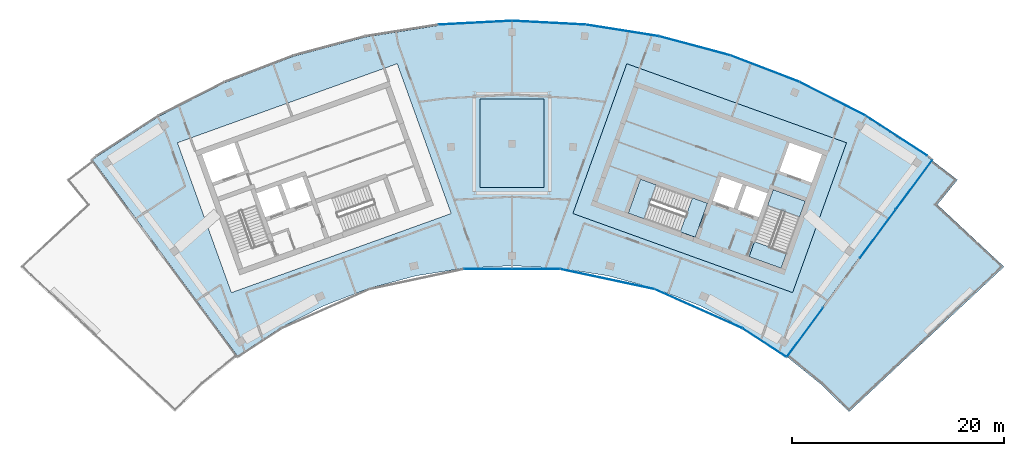
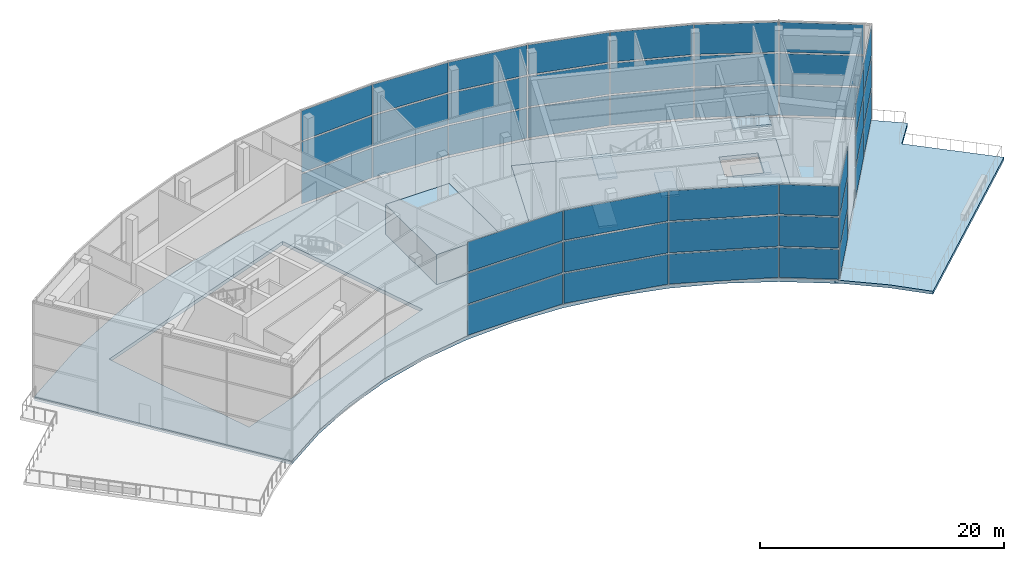
# One storey, part 11 of 20: 42 plates, 10 slabs, 5 elements without a shape of their own.
"""IFC4 building model written with IfcOpenShell, lengths in metres."""

import ifcopenshell
import ifcopenshell.guid

model = None  # the IFC model being written
_history = None  # IfcOwnerHistory: only IFC2X3 demands one
_inside = {}  # id of a spatial element -> (the spatial element, [elements in it])
_under = {}  # id of a project, library or spatial element -> (it, [spatial elements below it])
_declared = {}  # id of a project -> (the project, [libraries it declares])
_typed = {}  # id of a type object -> (the type object, [elements of that type])
_made_of = {}  # id of a material, layer set ... -> (it, [elements and type objects made of it])


def new_model(schema):
    """Start an empty IFC model of exactly this schema.

    Asked for "IFC4X3", IfcOpenShell would pick the latest addendum, in which some entities
    have other attributes; the version numbers below select the first issue.
    IFC2X3 requires an IfcOwnerHistory on every rooted entity: one is made here for all.
    """
    global model, _history
    if schema == "IFC4X3":
        model = ifcopenshell.file(schema_version=(4, 3, 0, 0))
    else:
        model = ifcopenshell.file(schema=schema)
    _inside.clear()
    _under.clear()
    _declared.clear()
    _typed.clear()
    _made_of.clear()
    _history = None
    if model.schema == "IFC2X3":
        org = make("IfcOrganization", Name="unknown")
        user = make(
            "IfcPersonAndOrganization",
            ThePerson=make("IfcPerson", FamilyName="unknown"),
            TheOrganization=org,
        )
        app = make(
            "IfcApplication",
            ApplicationDeveloper=org,
            Version="unknown",
            ApplicationFullName="unknown",
            ApplicationIdentifier="unknown",
        )
        _history = make(
            "IfcOwnerHistory",
            OwningUser=user,
            OwningApplication=app,
            ChangeAction="ADDED",
            CreationDate=0,
        )
    return model


def make(cls, **values):
    """One entity of the class cls with the attributes given. An attribute that is None is left unset."""
    return model.create_entity(
        cls, **{name: value for name, value in values.items() if value is not None}
    )


def rooted(cls, **values):
    """An entity with a GlobalId (a new one), such as an element, a storey or a relation."""
    return make(cls, GlobalId=ifcopenshell.guid.new(), OwnerHistory=_history, **values)


def si_unit(unit_type, name, prefix=None):
    """IfcSIUnit, for example si_unit("LENGTHUNIT", "METRE", prefix="MILLI")."""
    return make("IfcSIUnit", UnitType=unit_type, Prefix=prefix, Name=name)


def assignment(units):
    """IfcUnitAssignment: the units of a project."""
    return None if units is None else make("IfcUnitAssignment", Units=units)


def point(xyz):
    """IfcCartesianPoint."""
    return None if xyz is None else make("IfcCartesianPoint", Coordinates=xyz)


def direction(xyz):
    """IfcDirection."""
    return None if xyz is None else make("IfcDirection", DirectionRatios=xyz)


def frame(location, z_axis=None, x_axis=None):
    """IfcAxis2Placement3D, a coordinate frame: its origin and axes. An axis left out is left unset."""
    return make(
        "IfcAxis2Placement3D",
        Location=point(location),
        Axis=direction(z_axis),
        RefDirection=direction(x_axis),
    )


def frame_2d(location, x_axis=None):
    """IfcAxis2Placement2D, a coordinate frame in the plane: its origin and x axis."""
    return make(
        "IfcAxis2Placement2D", Location=point(location), RefDirection=direction(x_axis)
    )


def origin():
    """The frame at (0, 0, 0) with its axes left unset."""
    return frame((0.0, 0.0, 0.0))


def origin_2d():
    """The frame at (0, 0) in the plane with its x axis left unset."""
    return frame_2d((0.0, 0.0))


def place(relative_to, where):
    """IfcLocalPlacement: puts the frame where relative to a parent placement (None: the world)."""
    return make(
        "IfcLocalPlacement", PlacementRelTo=relative_to, RelativePlacement=where
    )


def context(
    kind, dimensions, precision=None, world=None, true_north=None, identifier=None
):
    """IfcGeometricRepresentationContext, for example the 3D "Model" context."""
    return make(
        "IfcGeometricRepresentationContext",
        ContextIdentifier=identifier,
        ContextType=kind,
        CoordinateSpaceDimension=dimensions,
        Precision=precision,
        WorldCoordinateSystem=world,
        TrueNorth=true_north,
    )


def subcontext(parent, identifier, kind, view, scale=None):
    """IfcGeometricRepresentationSubContext, for example "Body" below "Model"."""
    return make(
        "IfcGeometricRepresentationSubContext",
        ContextIdentifier=identifier,
        ContextType=kind,
        ParentContext=parent,
        TargetScale=scale,
        TargetView=view,
    )


def project(units=None, contexts=None):
    """IfcProject with its units and contexts."""
    return rooted(
        "IfcProject",
        Name="project",
        RepresentationContexts=contexts,
        UnitsInContext=assignment(units),
    )


def spatial(cls, under=None, at=None, **own):
    """A site, building, storey or space (cls), placed at a placement, below another one or the project."""
    s = rooted(cls, ObjectPlacement=at, **own)
    if under is not None:
        _under.setdefault(under.id(), (under, []))[1].append(s)
    return s


def polyline(points):
    """IfcPolyline through the points."""
    return make("IfcPolyline", Points=[point(p) for p in points])


def profile(cls, at=None, kind="AREA", **sizes):
    """A parametric profile (cls). Its sizes go by their IFC names, for example OverallWidth=200.0."""
    return make(cls, ProfileType=kind, Position=at, **sizes)


def rectangle(**sizes):
    """IfcRectangleProfileDef."""
    return profile("IfcRectangleProfileDef", **sizes)


def outline(outer, holes=None, kind="AREA"):
    """IfcArbitraryClosedProfileDef: a profile drawn as a closed curve; with holes, ...WithVoids."""
    if holes is None:
        return make("IfcArbitraryClosedProfileDef", ProfileType=kind, OuterCurve=outer)
    return make(
        "IfcArbitraryProfileDefWithVoids",
        ProfileType=kind,
        OuterCurve=outer,
        InnerCurves=holes,
    )


def extrude(swept, where, along, depth):
    """IfcExtrudedAreaSolid: the profile swept, set in the frame where, extruded along a direction by depth."""
    return make(
        "IfcExtrudedAreaSolid",
        SweptArea=swept,
        Position=where,
        ExtrudedDirection=direction(along),
        Depth=depth,
    )


def shape(context_of_items, identifier, shape_type, items):
    """IfcShapeRepresentation: the items that make up one representation, for example the "Body"."""
    return make(
        "IfcShapeRepresentation",
        ContextOfItems=context_of_items,
        RepresentationIdentifier=identifier,
        RepresentationType=shape_type,
        Items=items,
    )


def material(Name=None, Category=None):
    """IfcMaterial."""
    return make("IfcMaterial", Name=Name, Category=Category)


def layer(
    of_material, thickness, ventilated=None, Name=None, Category=None, Priority=None
):
    """IfcMaterialLayer: one layer of a wall or slab, of a material (None: an air gap)."""
    return make(
        "IfcMaterialLayer",
        Material=of_material,
        LayerThickness=thickness,
        IsVentilated=ventilated,
        Name=Name,
        Category=Category,
        Priority=Priority,
    )


def layer_set(layers, Name=None):
    """IfcMaterialLayerSet."""
    return make("IfcMaterialLayerSet", MaterialLayers=layers, LayerSetName=Name)


def made_of(thing, what):
    """Note that an element or type object is made of a material, layer set ...; save() writes the relation."""
    if what is not None:
        _made_of.setdefault(what.id(), (what, []))[1].append(thing)
    return thing


def type_object(cls, material=None, **own):
    """A type object (cls), such as IfcWallType, which elements share."""
    return made_of(rooted(cls, **own), material)


def element(
    cls,
    number,
    at=None,
    inside=None,
    cuts=None,
    type_object=None,
    material=None,
    context=None,
    identifier="Body",
    shape_type=None,
    held_by="IfcProductDefinitionShape",
    body=None,
    shapes=None,
    **own,
):
    """One element of the class cls, such as IfcWall. Its Tag is "e" and its number.

    at: its placement. inside: the storey or other place that contains it. cuts: it is an
    opening in that element (IfcRelVoidsElement). A single representation is given by context,
    identifier, shape_type and body (its items); several are given by shapes. held_by: the class
    of the entity that holds the representations. save() writes the other relations.
    """
    e = rooted(cls, Tag="e%d" % number, ObjectPlacement=at, **own)
    if body is not None:
        shapes = [shape(context, identifier, shape_type, body)]
    if shapes is not None:
        e.Representation = make(held_by, Representations=shapes)
    if inside is not None:
        _inside.setdefault(inside.id(), (inside, []))[1].append(e)
    if cuts is not None:
        rooted(
            "IfcRelVoidsElement", RelatingBuildingElement=cuts, RelatedOpeningElement=e
        )
    if type_object is not None:
        _typed.setdefault(type_object.id(), (type_object, []))[1].append(e)
    return made_of(e, material)


def aggregate(whole, parts):
    """IfcRelAggregates: a whole, such as a stair, and the parts it consists of."""
    return rooted("IfcRelAggregates", RelatingObject=whole, RelatedObjects=parts)


def save(model, path):
    """Write the relations noted so far, then the file.

    IfcRelAggregates (storeys below a building ...), IfcRelContainedInSpatialStructure (elements
    in a storey), IfcRelDefinesByType, IfcRelAssociatesMaterial and IfcRelDeclares: one each for
    every whole, place, type object, material and project.
    """
    for whole, parts in _under.values():
        aggregate(whole, parts)
    for where, things in _inside.values():
        rooted(
            "IfcRelContainedInSpatialStructure",
            RelatedElements=things,
            RelatingStructure=where,
        )
    for kind, things in _typed.values():
        rooted("IfcRelDefinesByType", RelatedObjects=things, RelatingType=kind)
    for what, things in _made_of.values():
        rooted("IfcRelAssociatesMaterial", RelatedObjects=things, RelatingMaterial=what)
    for by, libraries in _declared.values():
        rooted("IfcRelDeclares", RelatingContext=by, RelatedDefinitions=libraries)
    model.write(path)


model = new_model("IFC4")

# Units and contexts
model_context = context("Model", 3, precision=1e-05, world=origin(), true_north=direction((0.0, 1.0)))
body_context = subcontext(model_context, "Body", "Model", "MODEL_VIEW")
ifc_project = project(units=[si_unit("LENGTHUNIT", "METRE"), si_unit("AREAUNIT", "SQUARE_METRE"), si_unit("VOLUMEUNIT", "CUBIC_METRE"), si_unit("PLANEANGLEUNIT", "RADIAN"), si_unit("MASSUNIT", "GRAM", prefix="KILO")], contexts=[model_context])

# Site, building, storey
site_placement = place(None, origin())
site = spatial("IfcSite", under=ifc_project, at=site_placement, CompositionType="ELEMENT")
building_placement = place(site_placement, origin())
building = spatial("IfcBuilding", under=site, at=building_placement, Name="Stone Belt Terrace Tower", CompositionType="ELEMENT")
storey_placement = place(building_placement, frame((0.0, 0.0, 323.0)))
storey = spatial("IfcBuildingStorey", under=building, at=storey_placement, Name="L78", CompositionType="ELEMENT", Elevation=323.0)

# Curtain wall, plates
ifc_material_1 = material(Name="Aluminium 6063-T6 anodised frame", Category="aluminium")
ifc_layer_1 = layer(ifc_material_1, 0.14990234375)
ifc_layer_set_1 = layer_set([ifc_layer_1], Name="CW-E conservatory and damper hall curtain wall")
curtain_wall_type = type_object("IfcCurtainWallType", Name="CW-E conservatory and damper hall curtain wall", PredefinedType="NOTDEFINED", material=ifc_layer_set_1)
curtain_wall_1_placement = place(storey_placement, origin())
curtain_wall_1 = element("IfcCurtainWall", 1, at=curtain_wall_1_placement, inside=storey, type_object=curtain_wall_type, Name="CW-E concave face L78", PredefinedType="NOTDEFINED")
ifc_material_2 = material(Name="Clear double glazed unit")
ifc_layer_2 = layer(ifc_material_2, 0.035888671875)
ifc_layer_set_2 = layer_set([ifc_layer_2], Name="CW-E glass panel 36")
plate_type = type_object("IfcPlateType", Name="CW-E glass panel 36", PredefinedType="CURTAIN_PANEL", material=ifc_layer_set_2)
plate_1_placement = place(storey_placement, frame((0.0, 43.186767578125, 0.14990234375), z_axis=(0.0, 0.0, 1.0), x_axis=(1.0, 0.0, 0.0)))
plate_1 = element("IfcPlate", 2, at=plate_1_placement, type_object=plate_type, Name="CW-E panel 4.1", PredefinedType="CURTAIN_PANEL", context=body_context, shape_type="SweptSolid", body=[
    extrude(rectangle(XDim=8.98291015625, YDim=0.035888671875, at=origin_2d()), origin(), (0.0, 0.0, 1.0), 2.97509765625),
])
plate_2_placement = place(storey_placement, frame((0.0, 43.186767578125, 3.27490234375), z_axis=(0.0, 0.0, 1.0), x_axis=(1.0, 0.0, 0.0)))
plate_2 = element("IfcPlate", 3, at=plate_2_placement, type_object=plate_type, Name="CW-E panel 4.2", PredefinedType="CURTAIN_PANEL", context=body_context, shape_type="SweptSolid", body=[
    extrude(rectangle(XDim=8.98291015625, YDim=0.035888671875, at=origin_2d()), origin(), (0.0, 0.0, 1.0), 3.050048828125),
])
plate_3_placement = place(storey_placement, frame((0.0, 43.186767578125, 6.474853515625), z_axis=(0.0, 0.0, 1.0), x_axis=(1.0, 0.0, 0.0)))
plate_3 = element("IfcPlate", 4, at=plate_3_placement, type_object=plate_type, Name="CW-E panel 4.3", PredefinedType="CURTAIN_PANEL", context=body_context, shape_type="SweptSolid", body=[
    extrude(rectangle(XDim=8.98291015625, YDim=0.035888671875, at=origin_2d()), origin(), (0.0, 0.0, 1.0), 2.97509765625),
])
plate_4_placement = place(storey_placement, frame((8.97900390625, 42.242919921875, 0.14990234375), z_axis=(0.0, 0.0, 1.0), x_axis=(0.978147600734, -0.207911690818, 0.0)))
plate_4 = element("IfcPlate", 5, at=plate_4_placement, type_object=plate_type, Name="CW-E panel 5.1", PredefinedType="CURTAIN_PANEL", context=body_context, shape_type="SweptSolid", body=[
    extrude(rectangle(XDim=8.98291015625, YDim=0.035888671875, at=origin_2d()), origin(), (0.0, 0.0, 1.0), 2.97509765625),
])
plate_5_placement = place(storey_placement, frame((8.97900390625, 42.242919921875, 3.27490234375), z_axis=(0.0, 0.0, 1.0), x_axis=(0.978147600734, -0.207911690818, 0.0)))
plate_5 = element("IfcPlate", 6, at=plate_5_placement, type_object=plate_type, Name="CW-E panel 5.2", PredefinedType="CURTAIN_PANEL", context=body_context, shape_type="SweptSolid", body=[
    extrude(rectangle(XDim=8.98291015625, YDim=0.035888671875, at=origin_2d()), origin(), (0.0, 0.0, 1.0), 3.050048828125),
])
plate_6_placement = place(storey_placement, frame((8.97900390625, 42.242919921875, 6.474853515625), z_axis=(0.0, 0.0, 1.0), x_axis=(0.978147600734, -0.207911690818, 0.0)))
plate_6 = element("IfcPlate", 7, at=plate_6_placement, type_object=plate_type, Name="CW-E panel 5.3", PredefinedType="CURTAIN_PANEL", context=body_context, shape_type="SweptSolid", body=[
    extrude(rectangle(XDim=8.98291015625, YDim=0.035888671875, at=origin_2d()), origin(), (0.0, 0.0, 1.0), 2.97509765625),
])
plate_7_placement = place(storey_placement, frame((17.567138671875, 39.452392578125, 0.14990234375), z_axis=(0.0, 0.0, 1.0), x_axis=(0.913545457643, -0.406736643076, 0.0)))
plate_7 = element("IfcPlate", 8, at=plate_7_placement, type_object=plate_type, Name="CW-E panel 6.1", PredefinedType="CURTAIN_PANEL", context=body_context, shape_type="SweptSolid", body=[
    extrude(rectangle(XDim=8.986572265625, YDim=0.035888671875, at=origin_2d()), origin(), (0.0, 0.0, 1.0), 2.97509765625),
])
plate_8_placement = place(storey_placement, frame((17.567138671875, 39.452392578125, 3.27490234375), z_axis=(0.0, 0.0, 1.0), x_axis=(0.913545457643, -0.406736643076, 0.0)))
plate_8 = element("IfcPlate", 9, at=plate_8_placement, type_object=plate_type, Name="CW-E panel 6.2", PredefinedType="CURTAIN_PANEL", context=body_context, shape_type="SweptSolid", body=[
    extrude(rectangle(XDim=8.986572265625, YDim=0.035888671875, at=origin_2d()), origin(), (0.0, 0.0, 1.0), 3.050048828125),
])
plate_9_placement = place(storey_placement, frame((17.567138671875, 39.452392578125, 6.474853515625), z_axis=(0.0, 0.0, 1.0), x_axis=(0.913545457643, -0.406736643076, 0.0)))
plate_9 = element("IfcPlate", 10, at=plate_9_placement, type_object=plate_type, Name="CW-E panel 6.3", PredefinedType="CURTAIN_PANEL", context=body_context, shape_type="SweptSolid", body=[
    extrude(rectangle(XDim=8.986572265625, YDim=0.035888671875, at=origin_2d()), origin(), (0.0, 0.0, 1.0), 2.97509765625),
])
plate_10_placement = place(storey_placement, frame((23.777099609375, 36.25439453125, 0.14990234375), z_axis=(0.0, 0.0, 1.0), x_axis=(0.836472949336, -0.548008216206, 0.0)))
plate_10 = element("IfcPlate", 11, at=plate_10_placement, type_object=plate_type, Name="CW-E panel 7.1", PredefinedType="CURTAIN_PANEL", context=body_context, shape_type="SweptSolid", body=[
    extrude(rectangle(XDim=4.841064453125, YDim=0.035888671875, at=origin_2d()), origin(), (0.0, 0.0, 1.0), 2.97509765625),
])
plate_11_placement = place(storey_placement, frame((23.777099609375, 36.25439453125, 3.27490234375), z_axis=(0.0, 0.0, 1.0), x_axis=(0.836472949336, -0.548008216206, 0.0)))
plate_11 = element("IfcPlate", 12, at=plate_11_placement, type_object=plate_type, Name="CW-E panel 7.2", PredefinedType="CURTAIN_PANEL", context=body_context, shape_type="SweptSolid", body=[
    extrude(rectangle(XDim=4.841064453125, YDim=0.035888671875, at=origin_2d()), origin(), (0.0, 0.0, 1.0), 3.050048828125),
])
plate_12_placement = place(storey_placement, frame((23.777099609375, 36.25439453125, 6.474853515625), z_axis=(0.0, 0.0, 1.0), x_axis=(0.836472949336, -0.548008216206, 0.0)))
plate_12 = element("IfcPlate", 13, at=plate_12_placement, type_object=plate_type, Name="CW-E panel 7.3", PredefinedType="CURTAIN_PANEL", context=body_context, shape_type="SweptSolid", body=[
    extrude(rectangle(XDim=4.841064453125, YDim=0.035888671875, at=origin_2d()), origin(), (0.0, 0.0, 1.0), 2.97509765625),
])
aggregate(curtain_wall_1, [plate_1, plate_2, plate_3, plate_4, plate_5, plate_6, plate_7, plate_8, plate_9, plate_10, plate_11, plate_12])

curtain_wall_2_placement = place(storey_placement, origin())
curtain_wall_2 = element("IfcCurtainWall", 14, at=curtain_wall_2_placement, inside=storey, type_object=curtain_wall_type, Name="CW-E end face L78", PredefinedType="NOTDEFINED")
plate_13_placement = place(storey_placement, frame((27.61083984375, 37.240966796875, 0.14990234375), z_axis=(0.0, 0.0, 1.0), x_axis=(0.594274787545, 0.804262069781, 0.0)))
plate_13 = element("IfcPlate", 15, at=plate_13_placement, type_object=plate_type, Name="CW-E panel 1.1", PredefinedType="CURTAIN_PANEL", context=body_context, shape_type="SweptSolid", body=[
    extrude(rectangle(XDim=5.7001953125, YDim=0.035888671875, at=origin_2d()), origin(), (0.0, 0.0, 1.0), 2.97509765625),
])
plate_14_placement = place(storey_placement, frame((27.61083984375, 37.240966796875, 3.27490234375), z_axis=(0.0, 0.0, 1.0), x_axis=(0.594274787545, 0.804262069781, 0.0)))
plate_14 = element("IfcPlate", 16, at=plate_14_placement, type_object=plate_type, Name="CW-E panel 1.2", PredefinedType="CURTAIN_PANEL", context=body_context, shape_type="SweptSolid", body=[
    extrude(rectangle(XDim=5.7001953125, YDim=0.035888671875, at=origin_2d()), origin(), (0.0, 0.0, 1.0), 3.050048828125),
])
plate_15_placement = place(storey_placement, frame((27.61083984375, 37.240966796875, 6.474853515625), z_axis=(0.0, 0.0, 1.0), x_axis=(0.594274787545, 0.804262069781, 0.0)))
plate_15 = element("IfcPlate", 17, at=plate_15_placement, type_object=plate_type, Name="CW-E panel 1.3", PredefinedType="CURTAIN_PANEL", context=body_context, shape_type="SweptSolid", body=[
    extrude(rectangle(XDim=5.7001953125, YDim=0.035888671875, at=origin_2d()), origin(), (0.0, 0.0, 1.0), 2.97509765625),
])
plate_16_placement = place(storey_placement, frame((34.453857421875, 46.502197265625, 0.14990234375), z_axis=(0.0, 0.0, 1.0), x_axis=(0.594274787545, 0.804262069781, 0.0)))
plate_16 = element("IfcPlate", 18, at=plate_16_placement, type_object=plate_type, Name="CW-E panel 3.1", PredefinedType="CURTAIN_PANEL", context=body_context, shape_type="SweptSolid", body=[
    extrude(rectangle(XDim=5.669921875, YDim=0.035888671875, at=origin_2d()), origin(), (0.0, 0.0, 1.0), 2.97509765625),
])
plate_17_placement = place(storey_placement, frame((34.453857421875, 46.502197265625, 3.27490234375), z_axis=(0.0, 0.0, 1.0), x_axis=(0.594274787545, 0.804262069781, 0.0)))
plate_17 = element("IfcPlate", 19, at=plate_17_placement, type_object=plate_type, Name="CW-E panel 3.2", PredefinedType="CURTAIN_PANEL", context=body_context, shape_type="SweptSolid", body=[
    extrude(rectangle(XDim=5.669921875, YDim=0.035888671875, at=origin_2d()), origin(), (0.0, 0.0, 1.0), 3.050048828125),
])
plate_18_placement = place(storey_placement, frame((34.453857421875, 46.502197265625, 6.474853515625), z_axis=(0.0, 0.0, 1.0), x_axis=(0.594274787545, 0.804262069781, 0.0)))
plate_18 = element("IfcPlate", 20, at=plate_18_placement, type_object=plate_type, Name="CW-E panel 3.3", PredefinedType="CURTAIN_PANEL", context=body_context, shape_type="SweptSolid", body=[
    extrude(rectangle(XDim=5.669921875, YDim=0.035888671875, at=origin_2d()), origin(), (0.0, 0.0, 1.0), 2.97509765625),
])
plate_19_placement = place(storey_placement, frame((37.881103515625, 51.14013671875, 0.14990234375), z_axis=(0.0, 0.0, 1.0), x_axis=(0.594274787545, 0.804262069781, 0.0)))
plate_19 = element("IfcPlate", 21, at=plate_19_placement, type_object=plate_type, Name="CW-E panel 4.1", PredefinedType="CURTAIN_PANEL", context=body_context, shape_type="SweptSolid", body=[
    extrude(rectangle(XDim=5.703857421875, YDim=0.035888671875, at=origin_2d()), origin(), (0.0, 0.0, 1.0), 2.97509765625),
])
plate_20_placement = place(storey_placement, frame((37.881103515625, 51.14013671875, 3.27490234375), z_axis=(0.0, 0.0, 1.0), x_axis=(0.594274787545, 0.804262069781, 0.0)))
plate_20 = element("IfcPlate", 22, at=plate_20_placement, type_object=plate_type, Name="CW-E panel 4.2", PredefinedType="CURTAIN_PANEL", context=body_context, shape_type="SweptSolid", body=[
    extrude(rectangle(XDim=5.703857421875, YDim=0.035888671875, at=origin_2d()), origin(), (0.0, 0.0, 1.0), 3.050048828125),
])
plate_21_placement = place(storey_placement, frame((37.881103515625, 51.14013671875, 6.474853515625), z_axis=(0.0, 0.0, 1.0), x_axis=(0.594274787545, 0.804262069781, 0.0)))
plate_21 = element("IfcPlate", 23, at=plate_21_placement, type_object=plate_type, Name="CW-E panel 4.3", PredefinedType="CURTAIN_PANEL", context=body_context, shape_type="SweptSolid", body=[
    extrude(rectangle(XDim=5.703857421875, YDim=0.035888671875, at=origin_2d()), origin(), (0.0, 0.0, 1.0), 2.97509765625),
])
aggregate(curtain_wall_2, [plate_13, plate_14, plate_15, plate_16, plate_17, plate_18, plate_19, plate_20, plate_21])

curtain_wall_3_placement = place(storey_placement, origin())
curtain_wall_3 = element("IfcCurtainWall", 24, at=curtain_wall_3_placement, inside=storey, type_object=curtain_wall_type, Name="CW-E convex face L78", PredefinedType="NOTDEFINED")
plate_22_placement = place(storey_placement, frame((36.209716796875, 55.758056640625, 0.14990234375), z_axis=(0.0, 0.0, 1.0), x_axis=(-0.838670567945, 0.544639035015, 0.0)))
plate_22 = element("IfcPlate", 25, at=plate_22_placement, type_object=plate_type, Name="CW-E panel 2.1", PredefinedType="CURTAIN_PANEL", context=body_context, shape_type="SweptSolid", body=[
    extrude(rectangle(XDim=6.880859375, YDim=0.035888671875, at=origin_2d()), origin(), (0.0, 0.0, 1.0), 2.97509765625),
])
plate_23_placement = place(storey_placement, frame((36.209716796875, 55.758056640625, 3.27490234375), z_axis=(0.0, 0.0, 1.0), x_axis=(-0.838670567945, 0.544639035015, 0.0)))
plate_23 = element("IfcPlate", 26, at=plate_23_placement, type_object=plate_type, Name="CW-E panel 2.2", PredefinedType="CURTAIN_PANEL", context=body_context, shape_type="SweptSolid", body=[
    extrude(rectangle(XDim=6.880859375, YDim=0.035888671875, at=origin_2d()), origin(), (0.0, 0.0, 1.0), 3.050048828125),
])
plate_24_placement = place(storey_placement, frame((36.209716796875, 55.758056640625, 6.474853515625), z_axis=(0.0, 0.0, 1.0), x_axis=(-0.838670567945, 0.544639035015, 0.0)))
plate_24 = element("IfcPlate", 27, at=plate_24_placement, type_object=plate_type, Name="CW-E panel 2.3", PredefinedType="CURTAIN_PANEL", context=body_context, shape_type="SweptSolid", body=[
    extrude(rectangle(XDim=6.880859375, YDim=0.035888671875, at=origin_2d()), origin(), (0.0, 0.0, 1.0), 2.97509765625),
])
plate_25_placement = place(storey_placement, frame((30.18310546875, 59.237548828125, 0.14990234375), z_axis=(0.0, 0.0, 1.0), x_axis=(-0.891006524188, 0.45399049974, 0.0)))
plate_25 = element("IfcPlate", 28, at=plate_25_placement, type_object=plate_type, Name="CW-E panel 3.1", PredefinedType="CURTAIN_PANEL", context=body_context, shape_type="SweptSolid", body=[
    extrude(rectangle(XDim=6.880859375, YDim=0.035888671875, at=origin_2d()), origin(), (0.0, 0.0, 1.0), 2.97509765625),
])
plate_26_placement = place(storey_placement, frame((30.18310546875, 59.237548828125, 3.27490234375), z_axis=(0.0, 0.0, 1.0), x_axis=(-0.891006524188, 0.45399049974, 0.0)))
plate_26 = element("IfcPlate", 29, at=plate_26_placement, type_object=plate_type, Name="CW-E panel 3.2", PredefinedType="CURTAIN_PANEL", context=body_context, shape_type="SweptSolid", body=[
    extrude(rectangle(XDim=6.880859375, YDim=0.035888671875, at=origin_2d()), origin(), (0.0, 0.0, 1.0), 3.050048828125),
])
plate_27_placement = place(storey_placement, frame((30.18310546875, 59.237548828125, 6.474853515625), z_axis=(0.0, 0.0, 1.0), x_axis=(-0.891006524188, 0.45399049974, 0.0)))
plate_27 = element("IfcPlate", 30, at=plate_27_placement, type_object=plate_type, Name="CW-E panel 3.3", PredefinedType="CURTAIN_PANEL", context=body_context, shape_type="SweptSolid", body=[
    extrude(rectangle(XDim=6.880859375, YDim=0.035888671875, at=origin_2d()), origin(), (0.0, 0.0, 1.0), 2.97509765625),
])
plate_28_placement = place(storey_placement, frame((23.82568359375, 62.068115234375, 0.14990234375), z_axis=(0.0, 0.0, 1.0), x_axis=(-0.933580426497, 0.358367949545, 0.0)))
plate_28 = element("IfcPlate", 31, at=plate_28_placement, type_object=plate_type, Name="CW-E panel 4.1", PredefinedType="CURTAIN_PANEL", context=body_context, shape_type="SweptSolid", body=[
    extrude(rectangle(XDim=6.880859375, YDim=0.035888671875, at=origin_2d()), origin(), (0.0, 0.0, 1.0), 2.97509765625),
])
plate_29_placement = place(storey_placement, frame((23.82568359375, 62.068115234375, 3.27490234375), z_axis=(0.0, 0.0, 1.0), x_axis=(-0.933580426497, 0.358367949545, 0.0)))
plate_29 = element("IfcPlate", 32, at=plate_29_placement, type_object=plate_type, Name="CW-E panel 4.2", PredefinedType="CURTAIN_PANEL", context=body_context, shape_type="SweptSolid", body=[
    extrude(rectangle(XDim=6.880859375, YDim=0.035888671875, at=origin_2d()), origin(), (0.0, 0.0, 1.0), 3.050048828125),
])
plate_30_placement = place(storey_placement, frame((23.82568359375, 62.068115234375, 6.474853515625), z_axis=(0.0, 0.0, 1.0), x_axis=(-0.933580426497, 0.358367949545, 0.0)))
plate_30 = element("IfcPlate", 33, at=plate_30_placement, type_object=plate_type, Name="CW-E panel 4.3", PredefinedType="CURTAIN_PANEL", context=body_context, shape_type="SweptSolid", body=[
    extrude(rectangle(XDim=6.880859375, YDim=0.035888671875, at=origin_2d()), origin(), (0.0, 0.0, 1.0), 2.97509765625),
])
plate_31_placement = place(storey_placement, frame((17.207275390625, 64.218505859375, 0.14990234375), z_axis=(0.0, 0.0, 1.0), x_axis=(-0.965925826289, 0.258819045103, 0.0)))
plate_31 = element("IfcPlate", 34, at=plate_31_placement, type_object=plate_type, Name="CW-E panel 5.1", PredefinedType="CURTAIN_PANEL", context=body_context, shape_type="SweptSolid", body=[
    extrude(rectangle(XDim=6.880859375, YDim=0.035888671875, at=origin_2d()), origin(), (0.0, 0.0, 1.0), 2.97509765625),
])
plate_32_placement = place(storey_placement, frame((17.207275390625, 64.218505859375, 3.27490234375), z_axis=(0.0, 0.0, 1.0), x_axis=(-0.965925826289, 0.258819045103, 0.0)))
plate_32 = element("IfcPlate", 35, at=plate_32_placement, type_object=plate_type, Name="CW-E panel 5.2", PredefinedType="CURTAIN_PANEL", context=body_context, shape_type="SweptSolid", body=[
    extrude(rectangle(XDim=6.880859375, YDim=0.035888671875, at=origin_2d()), origin(), (0.0, 0.0, 1.0), 3.050048828125),
])
plate_33_placement = place(storey_placement, frame((17.207275390625, 64.218505859375, 6.474853515625), z_axis=(0.0, 0.0, 1.0), x_axis=(-0.965925826289, 0.258819045103, 0.0)))
plate_33 = element("IfcPlate", 36, at=plate_33_placement, type_object=plate_type, Name="CW-E panel 5.3", PredefinedType="CURTAIN_PANEL", context=body_context, shape_type="SweptSolid", body=[
    extrude(rectangle(XDim=6.880859375, YDim=0.035888671875, at=origin_2d()), origin(), (0.0, 0.0, 1.0), 2.97509765625),
])
plate_34_placement = place(storey_placement, frame((10.400390625, 65.665283203125, 0.14990234375), z_axis=(0.0, 0.0, 1.0), x_axis=(-0.987688340595, 0.15643446504, 0.0)))
plate_34 = element("IfcPlate", 37, at=plate_34_placement, type_object=plate_type, Name="CW-E panel 6.1", PredefinedType="CURTAIN_PANEL", context=body_context, shape_type="SweptSolid", body=[
    extrude(rectangle(XDim=6.880859375, YDim=0.035888671875, at=origin_2d()), origin(), (0.0, 0.0, 1.0), 2.97509765625),
])
plate_35_placement = place(storey_placement, frame((10.400390625, 65.665283203125, 3.27490234375), z_axis=(0.0, 0.0, 1.0), x_axis=(-0.987688340595, 0.15643446504, 0.0)))
plate_35 = element("IfcPlate", 38, at=plate_35_placement, type_object=plate_type, Name="CW-E panel 6.2", PredefinedType="CURTAIN_PANEL", context=body_context, shape_type="SweptSolid", body=[
    extrude(rectangle(XDim=6.880859375, YDim=0.035888671875, at=origin_2d()), origin(), (0.0, 0.0, 1.0), 3.050048828125),
])
plate_36_placement = place(storey_placement, frame((10.400390625, 65.665283203125, 6.474853515625), z_axis=(0.0, 0.0, 1.0), x_axis=(-0.987688340595, 0.15643446504, 0.0)))
plate_36 = element("IfcPlate", 39, at=plate_36_placement, type_object=plate_type, Name="CW-E panel 6.3", PredefinedType="CURTAIN_PANEL", context=body_context, shape_type="SweptSolid", body=[
    extrude(rectangle(XDim=6.880859375, YDim=0.035888671875, at=origin_2d()), origin(), (0.0, 0.0, 1.0), 2.97509765625),
])
plate_37_placement = place(storey_placement, frame((3.4794921875, 66.392822265625, 0.14990234375), z_axis=(0.0, 0.0, 1.0), x_axis=(-0.998629534755, 0.052335956243, 0.0)))
plate_37 = element("IfcPlate", 40, at=plate_37_placement, type_object=plate_type, Name="CW-E panel 7.1", PredefinedType="CURTAIN_PANEL", context=body_context, shape_type="SweptSolid", body=[
    extrude(rectangle(XDim=6.880859375, YDim=0.035888671875, at=origin_2d()), origin(), (0.0, 0.0, 1.0), 2.97509765625),
])
plate_38_placement = place(storey_placement, frame((3.4794921875, 66.392822265625, 3.27490234375), z_axis=(0.0, 0.0, 1.0), x_axis=(-0.998629534755, 0.052335956243, 0.0)))
plate_38 = element("IfcPlate", 41, at=plate_38_placement, type_object=plate_type, Name="CW-E panel 7.2", PredefinedType="CURTAIN_PANEL", context=body_context, shape_type="SweptSolid", body=[
    extrude(rectangle(XDim=6.880859375, YDim=0.035888671875, at=origin_2d()), origin(), (0.0, 0.0, 1.0), 3.050048828125),
])
plate_39_placement = place(storey_placement, frame((3.4794921875, 66.392822265625, 6.474853515625), z_axis=(0.0, 0.0, 1.0), x_axis=(-0.998629534755, 0.052335956243, 0.0)))
plate_39 = element("IfcPlate", 42, at=plate_39_placement, type_object=plate_type, Name="CW-E panel 7.3", PredefinedType="CURTAIN_PANEL", context=body_context, shape_type="SweptSolid", body=[
    extrude(rectangle(XDim=6.880859375, YDim=0.035888671875, at=origin_2d()), origin(), (0.0, 0.0, 1.0), 2.97509765625),
])
plate_40_placement = place(storey_placement, frame((-3.4794921875, 66.392822265625, 0.14990234375), z_axis=(0.0, 0.0, 1.0), x_axis=(-0.998629534755, -0.052335956243, 0.0)))
plate_40 = element("IfcPlate", 43, at=plate_40_placement, type_object=plate_type, Name="CW-E panel 8.1", PredefinedType="CURTAIN_PANEL", context=body_context, shape_type="SweptSolid", body=[
    extrude(rectangle(XDim=6.880859375, YDim=0.035888671875, at=origin_2d()), origin(), (0.0, 0.0, 1.0), 2.97509765625),
])
plate_41_placement = place(storey_placement, frame((-3.4794921875, 66.392822265625, 3.27490234375), z_axis=(0.0, 0.0, 1.0), x_axis=(-0.998629534755, -0.052335956243, 0.0)))
plate_41 = element("IfcPlate", 44, at=plate_41_placement, type_object=plate_type, Name="CW-E panel 8.2", PredefinedType="CURTAIN_PANEL", context=body_context, shape_type="SweptSolid", body=[
    extrude(rectangle(XDim=6.880859375, YDim=0.035888671875, at=origin_2d()), origin(), (0.0, 0.0, 1.0), 3.050048828125),
])
plate_42_placement = place(storey_placement, frame((-3.4794921875, 66.392822265625, 6.474853515625), z_axis=(0.0, 0.0, 1.0), x_axis=(-0.998629534755, -0.052335956243, 0.0)))
plate_42 = element("IfcPlate", 45, at=plate_42_placement, type_object=plate_type, Name="CW-E panel 8.3", PredefinedType="CURTAIN_PANEL", context=body_context, shape_type="SweptSolid", body=[
    extrude(rectangle(XDim=6.880859375, YDim=0.035888671875, at=origin_2d()), origin(), (0.0, 0.0, 1.0), 2.97509765625),
])
aggregate(curtain_wall_3, [plate_22, plate_23, plate_24, plate_25, plate_26, plate_27, plate_28, plate_29, plate_30, plate_31, plate_32, plate_33, plate_34, plate_35, plate_36, plate_37, plate_38, plate_39, plate_40, plate_41, plate_42])

# Slabs
ifc_material_3 = material(Name="Concrete B40", Category="concrete")
ifc_layer_3 = layer(ifc_material_3, 0.35009765625)
ifc_layer_set_3 = layer_set([ifc_layer_3], Name="Core floor slab 350")
slab_type_1 = type_object("IfcSlabType", Name="Core floor slab 350", PredefinedType="FLOOR", material=ifc_layer_set_3)
slab_1_placement = place(storey_placement, frame((0.0, 0.0, -0.35009765625)))
element("IfcSlab", 46, at=slab_1_placement, inside=storey, type_object=slab_type_1, Name="Core B floor L78", PredefinedType="FLOOR", context=body_context, shape_type="SweptSolid", body=[
    extrude(outline(polyline([(26.43505859375, 40.968994140625), (31.513916015625, 55.0830078125), (10.81396484375, 62.531982421875), (5.735107421875, 48.4189453125), (26.43505859375, 40.968994140625)]), holes=[polyline([(24.60791015625, 50.659912109375), (27.618896484375, 49.575927734375), (25.85888671875, 44.68408203125), (22.847900390625, 45.76806640625), (24.60791015625, 50.659912109375)]), polyline([(10.955078125, 48.452880859375), (12.10595703125, 51.652099609375), (16.998046875, 49.89208984375), (15.846923828125, 46.69189453125), (10.955078125, 48.452880859375)]), polyline([(21.27392578125, 48.778076171875), (22.0869140625, 51.035888671875), (24.06298828125, 50.324951171875), (23.25, 48.06689453125), (21.27392578125, 48.778076171875)]), polyline([(20.89794921875, 48.9130859375), (18.922119140625, 49.6240234375), (19.735107421875, 51.883056640625), (21.7109375, 51.1708984375), (20.89794921875, 48.9130859375)]), polyline([(26.153076171875, 55.09912109375), (29.2109375, 53.9990234375), (28.24609375, 51.31689453125), (25.18798828125, 52.41796875), (26.153076171875, 55.09912109375)])]), origin(), (0.0, 0.0, 1.0), 0.35009765625),
])
ifc_material_4 = material(Name="Concrete B60", Category="concrete")
ifc_layer_4 = layer(ifc_material_4, 3.0)
ifc_layer_set_4 = layer_set([ifc_layer_4], Name="Damper mass block 3000 B60")
slab_type_2 = type_object("IfcSlabType", Name="Damper mass block 3000 B60", PredefinedType="FLOOR", material=ifc_layer_set_4)
slab_2_placement = place(storey_placement, origin())
element("IfcSlab", 47, at=slab_2_placement, inside=storey, type_object=slab_type_2, Name="DAMPER MASS", PredefinedType="FLOOR", context=body_context, shape_type="SweptSolid", body=[
    extrude(outline(polyline([(3.0, 50.880615234375), (3.0, 59.18994140625), (-3.0, 59.18994140625), (-3.0, 50.880615234375), (3.0, 50.880615234375)])), origin(), (0.0, 0.0, 1.0), 3.0),
])
ifc_layer_5 = layer(ifc_material_3, 0.35009765625)
ifc_layer_set_5 = layer_set([ifc_layer_5], Name="Floor slab 350 B40")
slab_type_3 = type_object("IfcSlabType", Name="Floor slab 350 B40", PredefinedType="FLOOR", material=ifc_layer_set_5)
slab_3_placement = place(storey_placement, frame((0.0, 0.0, -0.35009765625)))
element("IfcSlab", 48, at=slab_3_placement, inside=storey, type_object=slab_type_3, Name="Floor slab L78", PredefinedType="FLOOR", context=body_context, shape_type="SweptSolid", body=[
    extrude(outline(polyline([(-39.087646484375, 53.799560546875), (-33.25, 57.5908203125), (-27.048095703125, 60.750732421875), (-20.549560546875, 63.245361328125), (-13.826171875, 65.046875), (-6.951171875, 66.1357421875), (0.0, 66.5), (6.951171875, 66.1357421875), (13.826171875, 65.046875), (20.549560546875, 63.245361328125), (27.048095703125, 60.750732421875), (33.25, 57.5908203125), (39.087646484375, 53.799560546875), (39.519287109375, 53.4833984375), (25.85107421875, 34.9853515625), (25.568603515625, 35.192138671875), (21.75, 37.672119140625), (17.693115234375, 39.7392578125), (13.442138671875, 41.37109375), (9.044189453125, 42.54931640625), (4.547119140625, 43.26171875), (0.0, 43.5), (-4.547119140625, 43.26171875), (-9.044189453125, 42.54931640625), (-13.442138671875, 41.37109375), (-17.693115234375, 39.7392578125), (-21.75, 37.672119140625), (-25.568603515625, 35.192138671875), (-25.85107421875, 34.9853515625), (-39.519287109375, 53.4833984375), (-39.087646484375, 53.799560546875)]), holes=[polyline([(-10.81396484375, 62.532470703125), (-31.51416015625, 55.082763671875), (-26.434814453125, 40.968994140625), (-5.734619140625, 48.418701171875), (-10.81396484375, 62.532470703125)]), polyline([(26.434814453125, 40.968994140625), (31.51416015625, 55.082763671875), (10.81396484375, 62.532470703125), (5.734619140625, 48.418701171875), (26.434814453125, 40.968994140625)])]), origin(), (0.0, 0.0, 1.0), 0.35009765625),
])

# Stair, slabs
stair_type = type_object("IfcStairType", Name="Exit stair 1500", PredefinedType="HALF_TURN_STAIR", material=ifc_material_3)
stair_1_placement = place(storey_placement, origin())
stair_1 = element("IfcStair", 49, at=stair_1_placement, inside=storey, type_object=stair_type, Name="L78 Exit stair 1 core B", PredefinedType="HALF_TURN_STAIR")
ifc_layer_6 = layer(ifc_material_3, 0.199951171875)
ifc_layer_set_6 = layer_set([ifc_layer_6], Name="Stair landing 200")
slab_type_4 = type_object("IfcSlabType", Name="Stair landing 200", PredefinedType="LANDING", material=ifc_layer_set_6)
slab_4_placement = place(storey_placement, frame((0.0, 0.0, 2.199951171875)))
slab_4 = element("IfcSlab", 50, at=slab_4_placement, type_object=slab_type_4, Name="ST1B landing 1", PredefinedType="LANDING", context=body_context, shape_type="SweptSolid", body=[
    extrude(outline(polyline([(27.0908203125, 48.107666015625), (27.619384765625, 49.576171875), (24.6083984375, 50.659912109375), (24.080078125, 49.191162109375), (27.0908203125, 48.107666015625)])), origin(), (0.0, 0.0, 1.0), 0.199951171875),
])
slab_5_placement = place(storey_placement, frame((0.0, 0.0, 4.60009765625)))
slab_5 = element("IfcSlab", 51, at=slab_5_placement, type_object=slab_type_4, Name="ST1B landing 2", PredefinedType="LANDING", context=body_context, shape_type="SweptSolid", body=[
    extrude(outline(polyline([(25.3505859375, 43.27197265625), (25.85888671875, 44.684326171875), (22.847900390625, 45.767822265625), (22.339599609375, 44.355712890625), (25.3505859375, 43.27197265625)])), origin(), (0.0, 0.0, 1.0), 0.199951171875),
])
slab_6_placement = place(storey_placement, frame((0.0, 0.0, 7.0)))
slab_6 = element("IfcSlab", 52, at=slab_6_placement, type_object=slab_type_4, Name="ST1B landing 3", PredefinedType="LANDING", context=body_context, shape_type="SweptSolid", body=[
    extrude(outline(polyline([(27.0908203125, 48.107666015625), (27.619384765625, 49.576171875), (24.6083984375, 50.659912109375), (24.080078125, 49.191162109375), (27.0908203125, 48.107666015625)])), origin(), (0.0, 0.0, 1.0), 0.199951171875),
])
aggregate(stair_1, [slab_4, slab_5, slab_6])

stair_2_placement = place(storey_placement, origin())
stair_2 = element("IfcStair", 53, at=stair_2_placement, inside=storey, type_object=stair_type, Name="L78 Exit stair 2 core B", PredefinedType="HALF_TURN_STAIR")
slab_7_placement = place(storey_placement, frame((0.0, 0.0, 2.199951171875)))
slab_7 = element("IfcSlab", 54, at=slab_7_placement, type_object=slab_type_4, Name="ST2B landing 1", PredefinedType="LANDING", context=body_context, shape_type="SweptSolid", body=[
    extrude(outline(polyline([(13.574462890625, 51.12353515625), (12.10595703125, 51.652099609375), (10.95458984375, 48.453125), (12.423095703125, 47.924560546875), (13.574462890625, 51.12353515625)])), origin(), (0.0, 0.0, 1.0), 0.199951171875),
])
slab_8_placement = place(storey_placement, frame((0.0, 0.0, 4.60009765625)))
slab_8 = element("IfcSlab", 55, at=slab_8_placement, type_object=slab_type_4, Name="ST2B landing 2", PredefinedType="LANDING", context=body_context, shape_type="SweptSolid", body=[
    extrude(outline(polyline([(18.41015625, 49.38330078125), (16.997802734375, 49.8916015625), (15.8466796875, 46.6923828125), (17.2587890625, 46.184326171875), (18.41015625, 49.38330078125)])), origin(), (0.0, 0.0, 1.0), 0.199951171875),
])
slab_9_placement = place(storey_placement, frame((0.0, 0.0, 7.0)))
slab_9 = element("IfcSlab", 56, at=slab_9_placement, type_object=slab_type_4, Name="ST2B landing 3", PredefinedType="LANDING", context=body_context, shape_type="SweptSolid", body=[
    extrude(outline(polyline([(13.574462890625, 51.12353515625), (12.10595703125, 51.652099609375), (10.95458984375, 48.453125), (12.423095703125, 47.924560546875), (13.574462890625, 51.12353515625)])), origin(), (0.0, 0.0, 1.0), 0.199951171875),
])
aggregate(stair_2, [slab_7, slab_8, slab_9])

# Slab
ifc_layer_7 = layer(ifc_material_3, 0.300048828125)
ifc_layer_set_7 = layer_set([ifc_layer_7], Name="Terrace slab 300 B40")
slab_type_5 = type_object("IfcSlabType", Name="Terrace slab 300 B40", PredefinedType="FLOOR", material=ifc_layer_set_7)
slab_10_placement = place(storey_placement, frame((0.0, 0.0, -0.300048828125)))
element("IfcSlab", 57, at=slab_10_placement, inside=storey, type_object=slab_type_5, Name="Terrace slab L78-roof_terrace-2", PredefinedType="FLOOR", context=body_context, shape_type="SweptSolid", body=[
    extrude(outline(polyline([(40.068603515625, 49.26220703125), (41.961669921875, 51.589599609375), (39.511962890625, 53.473388671875), (25.85107421875, 34.9853515625), (25.62744140625, 35.149169921875), (25.625244140625, 35.146484375), (29.107177734375, 32.326904296875), (31.750732421875, 29.734375), (46.348876953125, 43.405517578125), (40.068603515625, 49.26220703125)])), origin(), (0.0, 0.0, 1.0), 0.300048828125),
])

save(model, "model.ifc")
